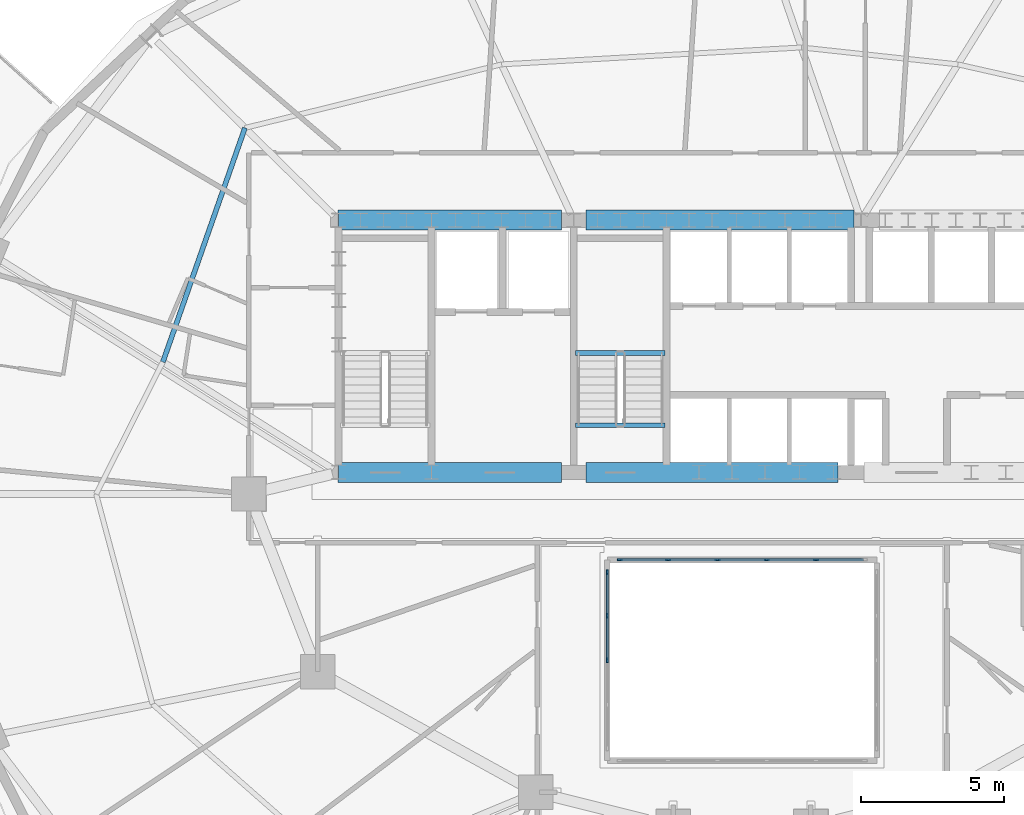
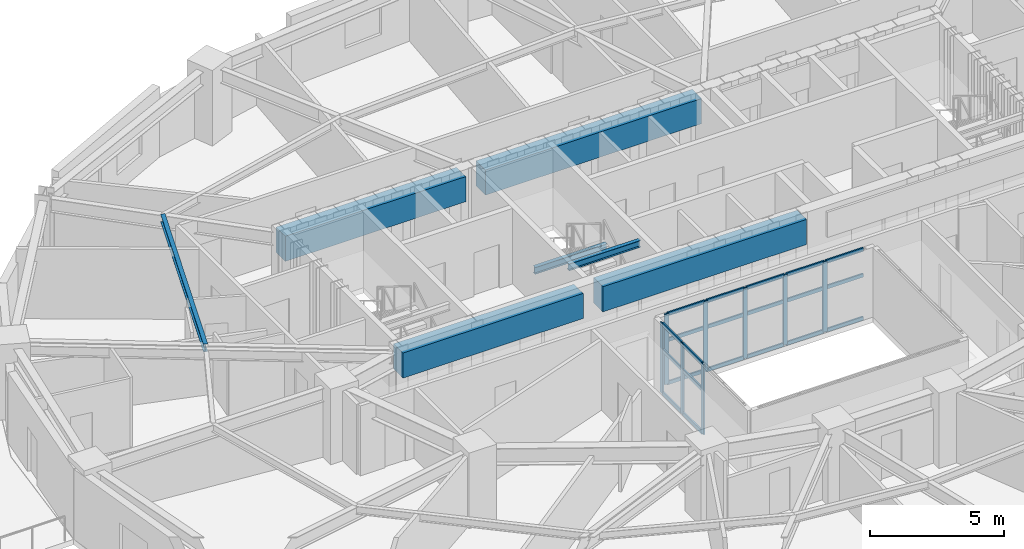
# One storey, part 3 of 14: 29 members, 7 beams, 2 elements without a shape of their own.
"""IFC4 building model written with IfcOpenShell, lengths in metres."""

from ifc_helpers import new_model, si_unit, direction, frame, origin, origin_2d, place, context, subcontext, project, spatial, rectangle, i_section, extrude, material, material_profile, profile_set, type_object, element, aggregate, save


model = new_model("IFC4")

# Units and contexts
model_context = context("Model", 3, precision=1e-05, world=origin(), true_north=direction((0.0, 1.0)))
body_context = subcontext(model_context, "Body", "Model", "MODEL_VIEW")
ifc_project = project(units=[si_unit("LENGTHUNIT", "METRE"), si_unit("AREAUNIT", "SQUARE_METRE"), si_unit("VOLUMEUNIT", "CUBIC_METRE"), si_unit("PLANEANGLEUNIT", "RADIAN"), si_unit("MASSUNIT", "GRAM", prefix="KILO")], contexts=[model_context])

# Site, building, storey
site_placement = place(None, origin())
site = spatial("IfcSite", under=ifc_project, at=site_placement, CompositionType="ELEMENT")
building_placement = place(site_placement, origin())
building = spatial("IfcBuilding", under=site, at=building_placement, Name="Haldorwick Loom Tower", CompositionType="ELEMENT")
storey_placement = place(building_placement, frame((0.0, 0.0, 99.050048828125)))
storey = spatial("IfcBuildingStorey", under=building, at=storey_placement, Name="L26", CompositionType="ELEMENT", Elevation=99.050048828125)

# Curtain wall, members
ifc_material_1 = material(Name="Thermally Broken Anodized Aluminium Curtain Wall Framing", Category="aluminium")
curtain_wall_type = type_object("IfcCurtainWallType", Name="ARC-CW-03", PredefinedType="NOTDEFINED", material=ifc_material_1)
curtain_wall_1_placement = place(storey_placement, origin())
curtain_wall_1 = element("IfcCurtainWall", 1, at=curtain_wall_1_placement, inside=storey, type_object=curtain_wall_type, Name="L26 Atrium Glazed Screen N", PredefinedType="NOTDEFINED")
ifc_material_profile_1 = material_profile(ifc_material_1, rectangle(XDim=0.06591796875, YDim=0.18505859375, at=origin_2d()), Name="ALU_MUL_66X185", Category="aluminium")
ifc_profile_set_1 = profile_set([ifc_material_profile_1], Name="Thermally Broken Anodized Aluminium Curtain Wall Framing")
member_type_1 = type_object("IfcMemberType", Name="ARC-CWM-03", PredefinedType="MULLION", material=ifc_profile_set_1)
member_1_placement = place(storey_placement, frame((31.73291015625, 23.699951171875, 0.0), z_axis=(0.0, 0.0, 1.0), x_axis=(0.0, 1.0, 0.0)))
member_1 = element("IfcMember", 2, at=member_1_placement, type_object=member_type_1, Name="CW-03 mullion 1", PredefinedType="MULLION", context=body_context, shape_type="SweptSolid", body=[
    extrude(rectangle(XDim=0.06591796875, YDim=0.18505859375, at=origin_2d()), origin(), (0.0, 0.0, 1.0), 3.2099609375),
])
member_2_placement = place(storey_placement, frame((33.419921875, 23.699951171875, 0.0), z_axis=(0.0, 0.0, 1.0), x_axis=(0.0, 1.0, 0.0)))
member_2 = element("IfcMember", 3, at=member_2_placement, type_object=member_type_1, Name="CW-03 mullion 2", PredefinedType="MULLION", context=body_context, shape_type="SweptSolid", body=[
    extrude(rectangle(XDim=0.06591796875, YDim=0.18505859375, at=origin_2d()), origin(), (0.0, 0.0, 1.0), 3.2099609375),
])
member_3_placement = place(storey_placement, frame((35.139892578125, 23.699951171875, 0.0), z_axis=(0.0, 0.0, 1.0), x_axis=(0.0, 1.0, 0.0)))
member_3 = element("IfcMember", 4, at=member_3_placement, type_object=member_type_1, Name="CW-03 mullion 3", PredefinedType="MULLION", context=body_context, shape_type="SweptSolid", body=[
    extrude(rectangle(XDim=0.06591796875, YDim=0.18505859375, at=origin_2d()), origin(), (0.0, 0.0, 1.0), 3.2099609375),
])
member_4_placement = place(storey_placement, frame((36.860107421875, 23.699951171875, 0.0), z_axis=(0.0, 0.0, 1.0), x_axis=(0.0, 1.0, 0.0)))
member_4 = element("IfcMember", 5, at=member_4_placement, type_object=member_type_1, Name="CW-03 mullion 4", PredefinedType="MULLION", context=body_context, shape_type="SweptSolid", body=[
    extrude(rectangle(XDim=0.06591796875, YDim=0.18505859375, at=origin_2d()), origin(), (0.0, 0.0, 1.0), 3.2099609375),
])
member_5_placement = place(storey_placement, frame((38.580078125, 23.699951171875, 0.0), z_axis=(0.0, 0.0, 1.0), x_axis=(0.0, 1.0, 0.0)))
member_5 = element("IfcMember", 6, at=member_5_placement, type_object=member_type_1, Name="CW-03 mullion 5", PredefinedType="MULLION", context=body_context, shape_type="SweptSolid", body=[
    extrude(rectangle(XDim=0.06591796875, YDim=0.18505859375, at=origin_2d()), origin(), (0.0, 0.0, 1.0), 3.2099609375),
])

curtain_wall_2_placement = place(storey_placement, origin())
curtain_wall_2 = element("IfcCurtainWall", 7, at=curtain_wall_2_placement, inside=storey, type_object=curtain_wall_type, Name="L26 Atrium Glazed Screen W", PredefinedType="NOTDEFINED")
member_6_placement = place(storey_placement, frame((31.300048828125, 20.199951171875, 0.0), z_axis=(0.0, 0.0, 1.0), x_axis=(-1.0, 0.0, 0.0)))
member_6 = element("IfcMember", 8, at=member_6_placement, type_object=member_type_1, Name="CW-03 mullion 3", PredefinedType="MULLION", context=body_context, shape_type="SweptSolid", body=[
    extrude(rectangle(XDim=0.06591796875, YDim=0.18505859375, at=origin_2d()), origin(), (0.0, 0.0, 1.0), 3.2099609375),
])
member_7_placement = place(storey_placement, frame((31.300048828125, 21.75, 0.0), z_axis=(0.0, 0.0, 1.0), x_axis=(-1.0, 0.0, 0.0)))
member_7 = element("IfcMember", 9, at=member_7_placement, type_object=member_type_1, Name="CW-03 mullion 4", PredefinedType="MULLION", context=body_context, shape_type="SweptSolid", body=[
    extrude(rectangle(XDim=0.06591796875, YDim=0.18505859375, at=origin_2d()), origin(), (0.0, 0.0, 1.0), 3.2099609375),
])
member_8_placement = place(storey_placement, frame((31.300048828125, 23.26708984375, 0.0), z_axis=(0.0, 0.0, 1.0), x_axis=(-1.0, 0.0, 0.0)))
member_8 = element("IfcMember", 10, at=member_8_placement, type_object=member_type_1, Name="CW-03 mullion 5", PredefinedType="MULLION", context=body_context, shape_type="SweptSolid", body=[
    extrude(rectangle(XDim=0.06591796875, YDim=0.18505859375, at=origin_2d()), origin(), (0.0, 0.0, 1.0), 3.2099609375),
])

# Member
ifc_material_profile_2 = material_profile(ifc_material_1, rectangle(XDim=0.06591796875, YDim=0.1650390625, at=origin_2d()), Name="ALU_TRN_66X165", Category="aluminium")
ifc_profile_set_2 = profile_set([ifc_material_profile_2], Name="Thermally Broken Anodized Aluminium Curtain Wall Framing")
member_type_2 = type_object("IfcMemberType", Name="ARC-CWT-03", PredefinedType="USERDEFINED", material=ifc_profile_set_2)
member_9_placement = place(storey_placement, frame((31.76611328125, 23.699951171875, 0.032958984375), z_axis=(1.0, 0.0, 0.0), x_axis=(0.0, 1.0, 0.0)))
member_9 = element("IfcMember", 11, at=member_9_placement, type_object=member_type_2, Name="CW-03 transom 1.1", ObjectType="TRANSOM", PredefinedType="USERDEFINED", context=body_context, shape_type="SweptSolid", body=[
    extrude(rectangle(XDim=0.06591796875, YDim=0.1650390625, at=origin_2d()), origin(), (0.0, 0.0, 1.0), 1.620849609375),
])

member_10_placement = place(storey_placement, frame((31.76611328125, 23.699951171875, 2.0), z_axis=(1.0, 0.0, 0.0), x_axis=(0.0, 1.0, 0.0)))
member_10 = element("IfcMember", 12, at=member_10_placement, type_object=member_type_2, Name="CW-03 transom 1.2", ObjectType="TRANSOM", PredefinedType="USERDEFINED", context=body_context, shape_type="SweptSolid", body=[
    extrude(rectangle(XDim=0.06591796875, YDim=0.1650390625, at=origin_2d()), origin(), (0.0, 0.0, 1.0), 1.620849609375),
])

member_11_placement = place(storey_placement, frame((31.76611328125, 23.699951171875, 3.177001953125), z_axis=(1.0, 0.0, 0.0), x_axis=(0.0, 1.0, 0.0)))
member_11 = element("IfcMember", 13, at=member_11_placement, type_object=member_type_2, Name="CW-03 transom 1.3", ObjectType="TRANSOM", PredefinedType="USERDEFINED", context=body_context, shape_type="SweptSolid", body=[
    extrude(rectangle(XDim=0.06591796875, YDim=0.1650390625, at=origin_2d()), origin(), (0.0, 0.0, 1.0), 1.620849609375),
])

member_12_placement = place(storey_placement, frame((33.452880859375, 23.699951171875, 0.032958984375), z_axis=(1.0, 0.0, 0.0), x_axis=(0.0, 1.0, 0.0)))
member_12 = element("IfcMember", 14, at=member_12_placement, type_object=member_type_2, Name="CW-03 transom 2.1", ObjectType="TRANSOM", PredefinedType="USERDEFINED", context=body_context, shape_type="SweptSolid", body=[
    extrude(rectangle(XDim=0.06591796875, YDim=0.1650390625, at=origin_2d()), origin(), (0.0, 0.0, 1.0), 1.654052734375),
])

member_13_placement = place(storey_placement, frame((33.452880859375, 23.699951171875, 2.0), z_axis=(1.0, 0.0, 0.0), x_axis=(0.0, 1.0, 0.0)))
member_13 = element("IfcMember", 15, at=member_13_placement, type_object=member_type_2, Name="CW-03 transom 2.2", ObjectType="TRANSOM", PredefinedType="USERDEFINED", context=body_context, shape_type="SweptSolid", body=[
    extrude(rectangle(XDim=0.06591796875, YDim=0.1650390625, at=origin_2d()), origin(), (0.0, 0.0, 1.0), 1.654052734375),
])

member_14_placement = place(storey_placement, frame((33.452880859375, 23.699951171875, 3.177001953125), z_axis=(1.0, 0.0, 0.0), x_axis=(0.0, 1.0, 0.0)))
member_14 = element("IfcMember", 16, at=member_14_placement, type_object=member_type_2, Name="CW-03 transom 2.3", ObjectType="TRANSOM", PredefinedType="USERDEFINED", context=body_context, shape_type="SweptSolid", body=[
    extrude(rectangle(XDim=0.06591796875, YDim=0.1650390625, at=origin_2d()), origin(), (0.0, 0.0, 1.0), 1.654052734375),
])

member_15_placement = place(storey_placement, frame((35.173095703125, 23.699951171875, 0.032958984375), z_axis=(1.0, 0.0, 0.0), x_axis=(0.0, 1.0, 0.0)))
member_15 = element("IfcMember", 17, at=member_15_placement, type_object=member_type_2, Name="CW-03 transom 3.1", ObjectType="TRANSOM", PredefinedType="USERDEFINED", context=body_context, shape_type="SweptSolid", body=[
    extrude(rectangle(XDim=0.06591796875, YDim=0.1650390625, at=origin_2d()), origin(), (0.0, 0.0, 1.0), 1.65380859375),
])

member_16_placement = place(storey_placement, frame((35.173095703125, 23.699951171875, 2.0), z_axis=(1.0, 0.0, 0.0), x_axis=(0.0, 1.0, 0.0)))
member_16 = element("IfcMember", 18, at=member_16_placement, type_object=member_type_2, Name="CW-03 transom 3.2", ObjectType="TRANSOM", PredefinedType="USERDEFINED", context=body_context, shape_type="SweptSolid", body=[
    extrude(rectangle(XDim=0.06591796875, YDim=0.1650390625, at=origin_2d()), origin(), (0.0, 0.0, 1.0), 1.65380859375),
])

member_17_placement = place(storey_placement, frame((35.173095703125, 23.699951171875, 3.177001953125), z_axis=(1.0, 0.0, 0.0), x_axis=(0.0, 1.0, 0.0)))
member_17 = element("IfcMember", 19, at=member_17_placement, type_object=member_type_2, Name="CW-03 transom 3.3", ObjectType="TRANSOM", PredefinedType="USERDEFINED", context=body_context, shape_type="SweptSolid", body=[
    extrude(rectangle(XDim=0.06591796875, YDim=0.1650390625, at=origin_2d()), origin(), (0.0, 0.0, 1.0), 1.65380859375),
])

member_18_placement = place(storey_placement, frame((36.89306640625, 23.699951171875, 0.032958984375), z_axis=(1.0, 0.0, 0.0), x_axis=(0.0, 1.0, 0.0)))
member_18 = element("IfcMember", 20, at=member_18_placement, type_object=member_type_2, Name="CW-03 transom 4.1", ObjectType="TRANSOM", PredefinedType="USERDEFINED", context=body_context, shape_type="SweptSolid", body=[
    extrude(rectangle(XDim=0.06591796875, YDim=0.1650390625, at=origin_2d()), origin(), (0.0, 0.0, 1.0), 1.654052734375),
])

member_19_placement = place(storey_placement, frame((36.89306640625, 23.699951171875, 2.0), z_axis=(1.0, 0.0, 0.0), x_axis=(0.0, 1.0, 0.0)))
member_19 = element("IfcMember", 21, at=member_19_placement, type_object=member_type_2, Name="CW-03 transom 4.2", ObjectType="TRANSOM", PredefinedType="USERDEFINED", context=body_context, shape_type="SweptSolid", body=[
    extrude(rectangle(XDim=0.06591796875, YDim=0.1650390625, at=origin_2d()), origin(), (0.0, 0.0, 1.0), 1.654052734375),
])

member_20_placement = place(storey_placement, frame((36.89306640625, 23.699951171875, 3.177001953125), z_axis=(1.0, 0.0, 0.0), x_axis=(0.0, 1.0, 0.0)))
member_20 = element("IfcMember", 22, at=member_20_placement, type_object=member_type_2, Name="CW-03 transom 4.3", ObjectType="TRANSOM", PredefinedType="USERDEFINED", context=body_context, shape_type="SweptSolid", body=[
    extrude(rectangle(XDim=0.06591796875, YDim=0.1650390625, at=origin_2d()), origin(), (0.0, 0.0, 1.0), 1.654052734375),
])

member_21_placement = place(storey_placement, frame((38.613037109375, 23.699951171875, 0.032958984375), z_axis=(1.0, 0.0, 0.0), x_axis=(0.0, 1.0, 0.0)))
member_21 = element("IfcMember", 23, at=member_21_placement, type_object=member_type_2, Name="CW-03 transom 5.1", ObjectType="TRANSOM", PredefinedType="USERDEFINED", context=body_context, shape_type="SweptSolid", body=[
    extrude(rectangle(XDim=0.06591796875, YDim=0.1650390625, at=origin_2d()), origin(), (0.0, 0.0, 1.0), 1.620849609375),
])

member_22_placement = place(storey_placement, frame((38.613037109375, 23.699951171875, 2.0), z_axis=(1.0, 0.0, 0.0), x_axis=(0.0, 1.0, 0.0)))
member_22 = element("IfcMember", 24, at=member_22_placement, type_object=member_type_2, Name="CW-03 transom 5.2", ObjectType="TRANSOM", PredefinedType="USERDEFINED", context=body_context, shape_type="SweptSolid", body=[
    extrude(rectangle(XDim=0.06591796875, YDim=0.1650390625, at=origin_2d()), origin(), (0.0, 0.0, 1.0), 1.620849609375),
])

member_23_placement = place(storey_placement, frame((38.613037109375, 23.699951171875, 3.177001953125), z_axis=(1.0, 0.0, 0.0), x_axis=(0.0, 1.0, 0.0)))
member_23 = element("IfcMember", 25, at=member_23_placement, type_object=member_type_2, Name="CW-03 transom 5.3", ObjectType="TRANSOM", PredefinedType="USERDEFINED", context=body_context, shape_type="SweptSolid", body=[
    extrude(rectangle(XDim=0.06591796875, YDim=0.1650390625, at=origin_2d()), origin(), (0.0, 0.0, 1.0), 1.620849609375),
])

aggregate(curtain_wall_1, [member_1, member_2, member_3, member_4, member_5, member_9, member_10, member_11, member_12, member_13, member_14, member_15, member_16, member_17, member_18, member_19, member_20, member_21, member_22, member_23])

member_24_placement = place(storey_placement, frame((31.300048828125, 20.23291015625, 0.032958984375), z_axis=(0.0, 1.0, 0.0), x_axis=(-1.0, 0.0, 0.0)))
member_24 = element("IfcMember", 26, at=member_24_placement, type_object=member_type_2, Name="CW-03 transom 3.1", ObjectType="TRANSOM", PredefinedType="USERDEFINED", context=body_context, shape_type="SweptSolid", body=[
    extrude(rectangle(XDim=0.06591796875, YDim=0.1650390625, at=origin_2d()), origin(), (0.0, 0.0, 1.0), 1.484130859375),
])

member_25_placement = place(storey_placement, frame((31.300048828125, 20.23291015625, 2.0), z_axis=(0.0, 1.0, 0.0), x_axis=(-1.0, 0.0, 0.0)))
member_25 = element("IfcMember", 27, at=member_25_placement, type_object=member_type_2, Name="CW-03 transom 3.2", ObjectType="TRANSOM", PredefinedType="USERDEFINED", context=body_context, shape_type="SweptSolid", body=[
    extrude(rectangle(XDim=0.06591796875, YDim=0.1650390625, at=origin_2d()), origin(), (0.0, 0.0, 1.0), 1.484130859375),
])

member_26_placement = place(storey_placement, frame((31.300048828125, 20.23291015625, 3.177001953125), z_axis=(0.0, 1.0, 0.0), x_axis=(-1.0, 0.0, 0.0)))
member_26 = element("IfcMember", 28, at=member_26_placement, type_object=member_type_2, Name="CW-03 transom 3.3", ObjectType="TRANSOM", PredefinedType="USERDEFINED", context=body_context, shape_type="SweptSolid", body=[
    extrude(rectangle(XDim=0.06591796875, YDim=0.1650390625, at=origin_2d()), origin(), (0.0, 0.0, 1.0), 1.484130859375),
])

member_27_placement = place(storey_placement, frame((31.300048828125, 21.782958984375, 0.032958984375), z_axis=(0.0, 1.0, 0.0), x_axis=(-1.0, 0.0, 0.0)))
member_27 = element("IfcMember", 29, at=member_27_placement, type_object=member_type_2, Name="CW-03 transom 4.1", ObjectType="TRANSOM", PredefinedType="USERDEFINED", context=body_context, shape_type="SweptSolid", body=[
    extrude(rectangle(XDim=0.06591796875, YDim=0.1650390625, at=origin_2d()), origin(), (0.0, 0.0, 1.0), 1.450927734375),
])

member_28_placement = place(storey_placement, frame((31.300048828125, 21.782958984375, 2.0), z_axis=(0.0, 1.0, 0.0), x_axis=(-1.0, 0.0, 0.0)))
member_28 = element("IfcMember", 30, at=member_28_placement, type_object=member_type_2, Name="CW-03 transom 4.2", ObjectType="TRANSOM", PredefinedType="USERDEFINED", context=body_context, shape_type="SweptSolid", body=[
    extrude(rectangle(XDim=0.06591796875, YDim=0.1650390625, at=origin_2d()), origin(), (0.0, 0.0, 1.0), 1.450927734375),
])

member_29_placement = place(storey_placement, frame((31.300048828125, 21.782958984375, 3.177001953125), z_axis=(0.0, 1.0, 0.0), x_axis=(-1.0, 0.0, 0.0)))
member_29 = element("IfcMember", 31, at=member_29_placement, type_object=member_type_2, Name="CW-03 transom 4.3", ObjectType="TRANSOM", PredefinedType="USERDEFINED", context=body_context, shape_type="SweptSolid", body=[
    extrude(rectangle(XDim=0.06591796875, YDim=0.1650390625, at=origin_2d()), origin(), (0.0, 0.0, 1.0), 1.450927734375),
])

aggregate(curtain_wall_2, [member_6, member_7, member_8, member_24, member_25, member_26, member_27, member_28, member_29])

# Beams
ifc_material_2 = material(Name="Concrete C60 (60 MPa)", Category="concrete")
ifc_material_profile_3 = material_profile(ifc_material_2, rectangle(XDim=0.699951171875, YDim=1.14990234375, at=origin_2d()), Name="RC700X1150", Category="concrete")
ifc_profile_set_3 = profile_set([ifc_material_profile_3], Name="Concrete C60 (60 MPa)")
beam_type_1 = type_object("IfcBeamType", Name="STR-BM-CB1150", PredefinedType="LINTEL", material=ifc_profile_set_3)
beam_1_placement = place(storey_placement, frame((21.89990234375, 35.550048828125, 2.635009765625), z_axis=(1.0, 0.0, 0.0), x_axis=(0.0, 1.0, 0.0)))
element("IfcBeam", 32, at=beam_1_placement, inside=storey, type_object=beam_type_1, Name="L26 Core Coupling Beam CB-N1", PredefinedType="LINTEL", context=body_context, shape_type="SweptSolid", body=[
    extrude(rectangle(XDim=0.699951171875, YDim=1.14990234375, at=origin_2d()), origin(), (0.0, 0.0, 1.0), 7.800048828125),
])
beam_2_placement = place(storey_placement, frame((30.550048828125, 35.550048828125, 2.635009765625), z_axis=(1.0, 0.0, 0.0), x_axis=(0.0, 1.0, 0.0)))
element("IfcBeam", 33, at=beam_2_placement, inside=storey, type_object=beam_type_1, Name="L26 Core Coupling Beam CB-N2", PredefinedType="LINTEL", context=body_context, shape_type="SweptSolid", body=[
    extrude(rectangle(XDim=0.699951171875, YDim=1.14990234375, at=origin_2d()), origin(), (0.0, 0.0, 1.0), 9.349853515625),
])
beam_3_placement = place(storey_placement, frame((21.89990234375, 26.75, 2.635009765625), z_axis=(1.0, 0.0, 0.0), x_axis=(0.0, 1.0, 0.0)))
element("IfcBeam", 34, at=beam_3_placement, inside=storey, type_object=beam_type_1, Name="L26 Core Coupling Beam CB-S1", PredefinedType="LINTEL", context=body_context, shape_type="SweptSolid", body=[
    extrude(rectangle(XDim=0.699951171875, YDim=1.14990234375, at=origin_2d()), origin(), (0.0, 0.0, 1.0), 7.800048828125),
])
beam_4_placement = place(storey_placement, frame((30.550048828125, 26.75, 2.635009765625), z_axis=(1.0, 0.0, 0.0), x_axis=(0.0, 1.0, 0.0)))
element("IfcBeam", 35, at=beam_4_placement, inside=storey, type_object=beam_type_1, Name="L26 Core Coupling Beam CB-S2", PredefinedType="LINTEL", context=body_context, shape_type="SweptSolid", body=[
    extrude(rectangle(XDim=0.699951171875, YDim=1.14990234375, at=origin_2d()), origin(), (0.0, 0.0, 1.0), 8.800048828125),
])
ifc_material_3 = material(Name="Steel CSA G40.21 350W", Category="steel")
ifc_material_profile_4 = material_profile(ifc_material_3, i_section(OverallWidth=0.172119140625, OverallDepth=0.35791015625, WebThickness=0.0078125, FlangeThickness=0.01318359375, at=origin_2d()), Name="W360X57", Category="steel")
ifc_profile_set_4 = profile_set([ifc_material_profile_4], Name="Steel CSA G40.21 350W")
beam_type_2 = type_object("IfcBeamType", Name="STR-BM-J360", PredefinedType="JOIST", material=ifc_profile_set_4)
beam_5_placement = place(storey_placement, frame((18.66162109375, 38.765869140625, 3.031005859375), z_axis=(-0.330864603503, -0.943678236556, 0.0), x_axis=(0.943678236556, -0.330864603503, 0.0)))
element("IfcBeam", 36, at=beam_5_placement, inside=storey, type_object=beam_type_2, Name="L26 Mid-Bay Secondary Joist 7", PredefinedType="JOIST", context=body_context, shape_type="SweptSolid", body=[
    extrude(i_section(OverallWidth=0.172119140625, OverallDepth=0.35791015625, WebThickness=0.0078125, FlangeThickness=0.01318359375, at=origin_2d()), origin(), (0.0, 0.0, 1.0), 8.6494140625),
])
ifc_material_profile_5 = material_profile(ifc_material_3, i_section(OverallWidth=0.166015625, OverallDepth=0.31298828125, WebThickness=0.006591796875, FlangeThickness=0.01123046875, at=origin_2d()), Name="W310X45", Category="steel")
ifc_profile_set_5 = profile_set([ifc_material_profile_5], Name="Steel CSA G40.21 350W")
beam_type_3 = type_object("IfcBeamType", Name="STR-BM-STRM", PredefinedType="BEAM", material=ifc_profile_set_5)
for number, where, z_axis, x_axis, name in (
    (37, (30.18994140625, 28.39990234375, 3.053466796875), (1.0, 0.0, 0.0), (0.0, 1.0, 0.0), "L26 Stair ST-03 Landing Edge Trimmer"),
    (38, (30.18994140625, 30.919921875, 1.368408203125), (1.0, 0.0, 0.0), (0.0, 1.0, 0.0), "L26 Stair ST-03 Half-Landing Trimmer 1"),
):
    element("IfcBeam", number, at=place(storey_placement, frame(where, z_axis=z_axis, x_axis=x_axis)), inside=storey, type_object=beam_type_3, Name=name, PredefinedType="BEAM", context=body_context, shape_type="SweptSolid", body=[
        extrude(i_section(OverallWidth=0.166015625, OverallDepth=0.31298828125, WebThickness=0.006591796875, FlangeThickness=0.01123046875, at=origin_2d()), origin(), (0.0, 0.0, 1.0), 3.1201171875),
    ])

save(model, "model.ifc")
